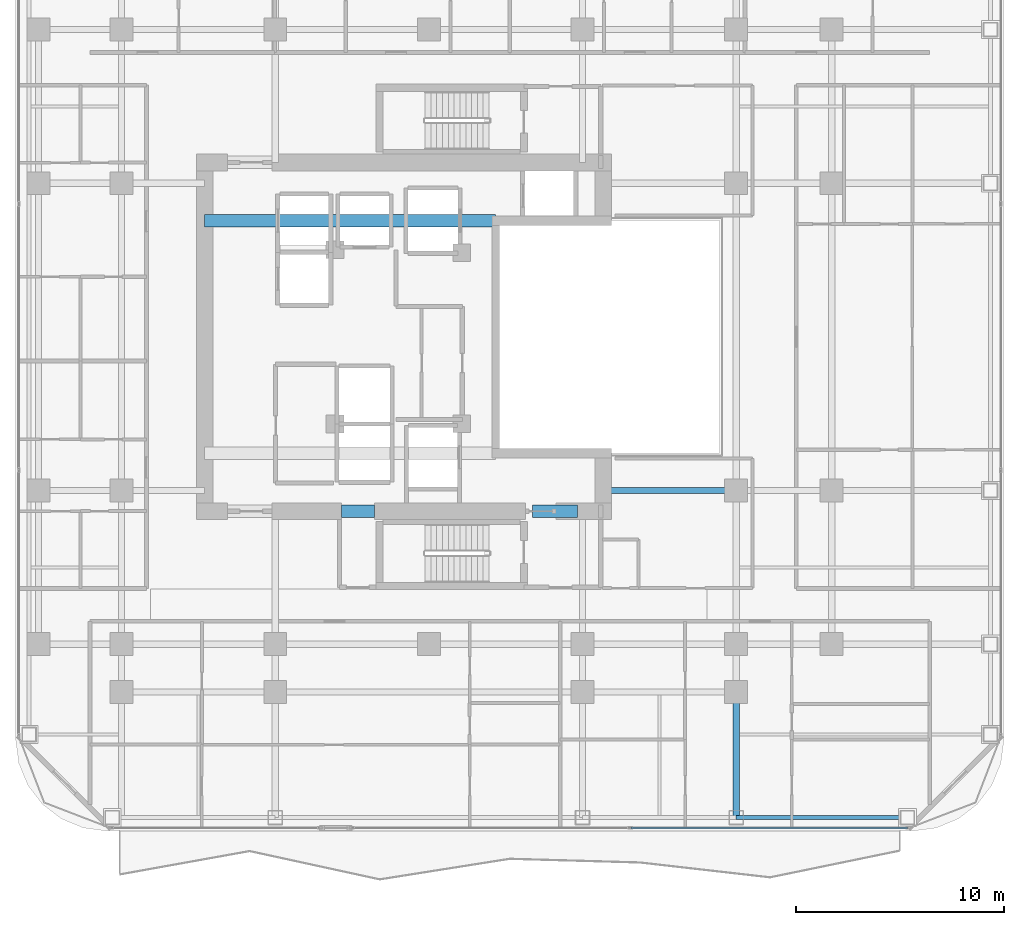
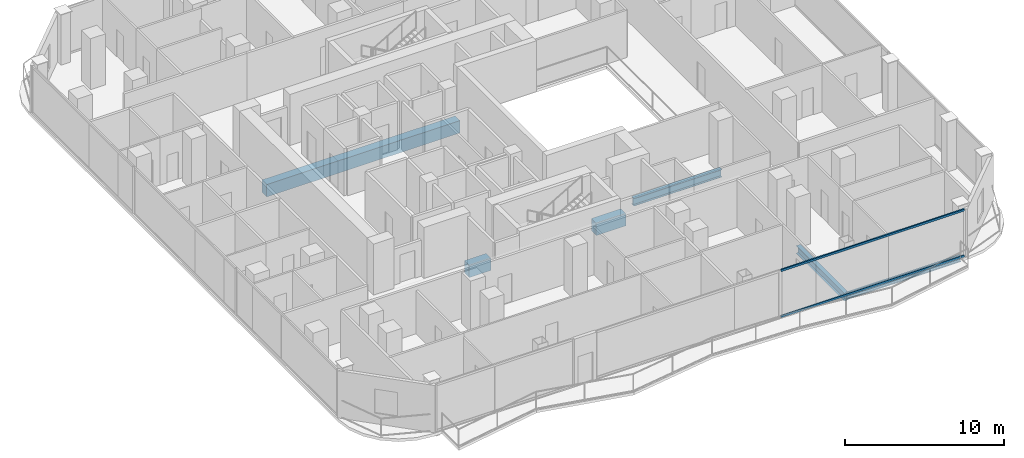
# One storey, part 9 of 27: 6 beams, 2 members, 1 element without a shape of its own.
"""IFC4 building model written with IfcOpenShell, lengths in metres."""

from ifc_helpers import new_model, si_unit, direction, frame, origin, origin_2d, place, context, subcontext, project, spatial, rectangle, hollow_rectangle, i_section, extrude, material, layer, layer_set, material_profile, profile_set, type_object, element, aggregate, save


model = new_model("IFC4")

# Units and contexts
model_context = context("Model", 3, precision=1e-05, world=origin(), true_north=direction((0.0, 1.0)))
body_context = subcontext(model_context, "Body", "Model", "MODEL_VIEW")
ifc_project = project(units=[si_unit("LENGTHUNIT", "METRE"), si_unit("AREAUNIT", "SQUARE_METRE"), si_unit("VOLUMEUNIT", "CUBIC_METRE"), si_unit("PLANEANGLEUNIT", "RADIAN"), si_unit("MASSUNIT", "GRAM", prefix="KILO")], contexts=[model_context])

# Site, building, storey
site_placement = place(None, origin())
site = spatial("IfcSite", under=ifc_project, at=site_placement, CompositionType="ELEMENT")
building_placement = place(site_placement, origin())
building = spatial("IfcBuilding", under=site, at=building_placement, Name="Khorvyn Point Tower", CompositionType="ELEMENT")
storey_placement = place(building_placement, frame((0.0, 0.0, 164.10009765625)))
storey = spatial("IfcBuildingStorey", under=building, at=storey_placement, Name="L40", CompositionType="ELEMENT", Elevation=164.10009765625)

# Curtain wall, members
ifc_material_1 = material(Name="Anodised aluminium 6063-T6 and laminated Low-E glass", Category="aluminium")
ifc_layer = layer(ifc_material_1, 0.18994140625)
ifc_layer_set = layer_set([ifc_layer], Name="Stick-Built Acoustic Curtain Wall CW-SYS-03")
curtain_wall_type = type_object("IfcCurtainWallType", Name="Stick-Built Acoustic Curtain Wall CW-SYS-03", PredefinedType="NOTDEFINED", material=ifc_layer_set)
curtain_wall_placement = place(storey_placement, origin())
curtain_wall = element("IfcCurtainWall", 1, at=curtain_wall_placement, inside=storey, type_object=curtain_wall_type, Name="Curtain Wall", PredefinedType="NOTDEFINED")
ifc_material_2 = material(Name="Anodised aluminium 6063-T6", Category="aluminium")
ifc_material_profile_1 = material_profile(ifc_material_2, hollow_rectangle(XDim=0.10009765625, YDim=0.159912109375, WallThickness=0.00439453125, at=origin_2d()))
ifc_profile_set_1 = profile_set([ifc_material_profile_1], Name="Anodised aluminium 6063-T6 ALU-TRN-100x160")
member_type = type_object("IfcMemberType", Name="Anodised Aluminium 6063-T6 Transom ALU-TRN-100x160", PredefinedType="USERDEFINED", material=ifc_profile_set_1)
member_1_placement = place(storey_placement, frame((23.050048828125, -23.64990234375, 0.0498046875), z_axis=(-1.0, 0.0, 0.0), x_axis=(0.0, -1.0, 0.0)))
member_1 = element("IfcMember", 2, at=member_1_placement, type_object=member_type, Name="Transom", ObjectType="TRANSOM", PredefinedType="USERDEFINED", context=body_context, shape_type="SweptSolid", body=[
    extrude(hollow_rectangle(XDim=0.10009765625, YDim=0.159912109375, WallThickness=0.00439453125, at=origin_2d()), origin(), (0.0, 0.0, 1.0), 13.3056640625),
])
member_2_placement = place(storey_placement, frame((23.050048828125, -23.64990234375, 3.56982421875), z_axis=(-1.0, 0.0, 0.0), x_axis=(0.0, -1.0, 0.0)))
member_2 = element("IfcMember", 3, at=member_2_placement, type_object=member_type, Name="Transom", ObjectType="TRANSOM", PredefinedType="USERDEFINED", context=body_context, shape_type="SweptSolid", body=[
    extrude(hollow_rectangle(XDim=0.10009765625, YDim=0.159912109375, WallThickness=0.00439453125, at=origin_2d()), origin(), (0.0, 0.0, 1.0), 13.3056640625),
])
aggregate(curtain_wall, [member_1, member_2])

# Beams
ifc_material_3 = material(Name="Concrete C50/60", Category="concrete")
ifc_material_profile_2 = material_profile(ifc_material_3, rectangle(XDim=0.60009765625, YDim=0.949951171875, at=origin_2d()))
ifc_profile_set_2 = profile_set([ifc_material_profile_2], Name="Concrete C50/60 RC600x950")
beam_type_1 = type_object("IfcBeamType", Name="Concrete C50/60 Beam RC600x950", PredefinedType="BEAM", material=ifc_profile_set_2)
beam_1_placement = place(storey_placement, frame((-10.800048828125, 5.60009765625, -0.695068359375), z_axis=(1.0, 0.0, 0.0), x_axis=(0.0, 1.0, 0.0)))
element("IfcBeam", 4, at=beam_1_placement, inside=storey, type_object=beam_type_1, Name="L40 Core Internal Tie Girder N", PredefinedType="BEAM", context=body_context, shape_type="SweptSolid", body=[
    extrude(rectangle(XDim=0.60009765625, YDim=0.949951171875, at=origin_2d()), origin(), (0.0, 0.0, 1.0), 14.02001953125),
])
beam_2_placement = place(storey_placement, frame((-4.199951171875, -8.39990234375, -0.695068359375), z_axis=(1.0, 0.0, 0.0), x_axis=(0.0, 1.0, 0.0)))
element("IfcBeam", 5, at=beam_2_placement, inside=storey, type_object=beam_type_1, Name="L40 Core Shuttle Portal Coupling Beam", PredefinedType="BEAM", context=body_context, shape_type="SweptSolid", body=[
    extrude(rectangle(XDim=0.60009765625, YDim=0.949951171875, at=origin_2d()), origin(), (0.0, 0.0, 1.0), 1.579833984375),
])
beam_3_placement = place(storey_placement, frame((5.0, -8.39990234375, -0.695068359375), z_axis=(1.0, 0.0, 0.0), x_axis=(0.0, 1.0, 0.0)))
element("IfcBeam", 6, at=beam_3_placement, inside=storey, type_object=beam_type_1, Name="L40 Core Southeast Portal Coupling Beam", PredefinedType="BEAM", context=body_context, shape_type="SweptSolid", body=[
    extrude(rectangle(XDim=0.60009765625, YDim=0.949951171875, at=origin_2d()), origin(), (0.0, 0.0, 1.0), 2.14990234375),
])
ifc_material_4 = material(Name="Steel S355", Category="steel")
ifc_material_profile_3 = material_profile(ifc_material_4, i_section(OverallWidth=0.300048828125, OverallDepth=0.587890625, WebThickness=0.011962890625, FlangeThickness=0.02001953125, at=origin_2d()))
ifc_profile_set_3 = profile_set([ifc_material_profile_3], Name="Steel S355 H588x300x12x20")
beam_type_2 = type_object("IfcBeamType", Name="Steel S355 Beam H588x300x12x20", PredefinedType="BEAM", material=ifc_profile_set_3)
beam_4_placement = place(storey_placement, frame((8.39990234375, -7.39990234375, -0.51416015625), z_axis=(1.0, 0.0, 0.0), x_axis=(0.0, 1.0, 0.0)))
element("IfcBeam", 7, at=beam_4_placement, inside=storey, type_object=beam_type_2, Name="Beam", PredefinedType="BEAM", context=body_context, shape_type="SweptSolid", body=[
    extrude(i_section(OverallWidth=0.300048828125, OverallDepth=0.587890625, WebThickness=0.011962890625, FlangeThickness=0.02001953125, at=origin_2d()), origin(), (0.0, 0.0, 1.0), 6.400146484375),
])
beam_5_placement = place(storey_placement, frame((14.800048828125, -23.14990234375, -0.51416015625), z_axis=(0.0, 1.0, 0.0), x_axis=(-1.0, 0.0, 0.0)))
element("IfcBeam", 8, at=beam_5_placement, inside=storey, type_object=beam_type_2, Name="Beam", PredefinedType="BEAM", context=body_context, shape_type="SweptSolid", body=[
    extrude(i_section(OverallWidth=0.300048828125, OverallDepth=0.587890625, WebThickness=0.011962890625, FlangeThickness=0.02001953125, at=origin_2d()), origin(), (0.0, 0.0, 1.0), 6.0498046875),
])
ifc_material_profile_4 = material_profile(ifc_material_4, i_section(OverallWidth=0.199951171875, OverallDepth=0.449951171875, WebThickness=0.009033203125, FlangeThickness=0.013916015625, at=origin_2d()))
ifc_profile_set_4 = profile_set([ifc_material_profile_4], Name="Steel S355 H450x200x9x14")
beam_type_3 = type_object("IfcBeamType", Name="Steel S355 Spandrel H450x200x9x14", PredefinedType="SPANDREL", material=ifc_profile_set_4)
beam_6_placement = place(storey_placement, frame((14.800048828125, -23.14990234375, -0.445068359375), z_axis=(1.0, 0.0, 0.0), x_axis=(0.0, 1.0, 0.0)))
element("IfcBeam", 9, at=beam_6_placement, inside=storey, type_object=beam_type_3, Name="Beam", PredefinedType="SPANDREL", context=body_context, shape_type="SweptSolid", body=[
    extrude(i_section(OverallWidth=0.199951171875, OverallDepth=0.449951171875, WebThickness=0.009033203125, FlangeThickness=0.013916015625, at=origin_2d()), origin(), (0.0, 0.0, 1.0), 8.25),
])

save(model, "model.ifc")
